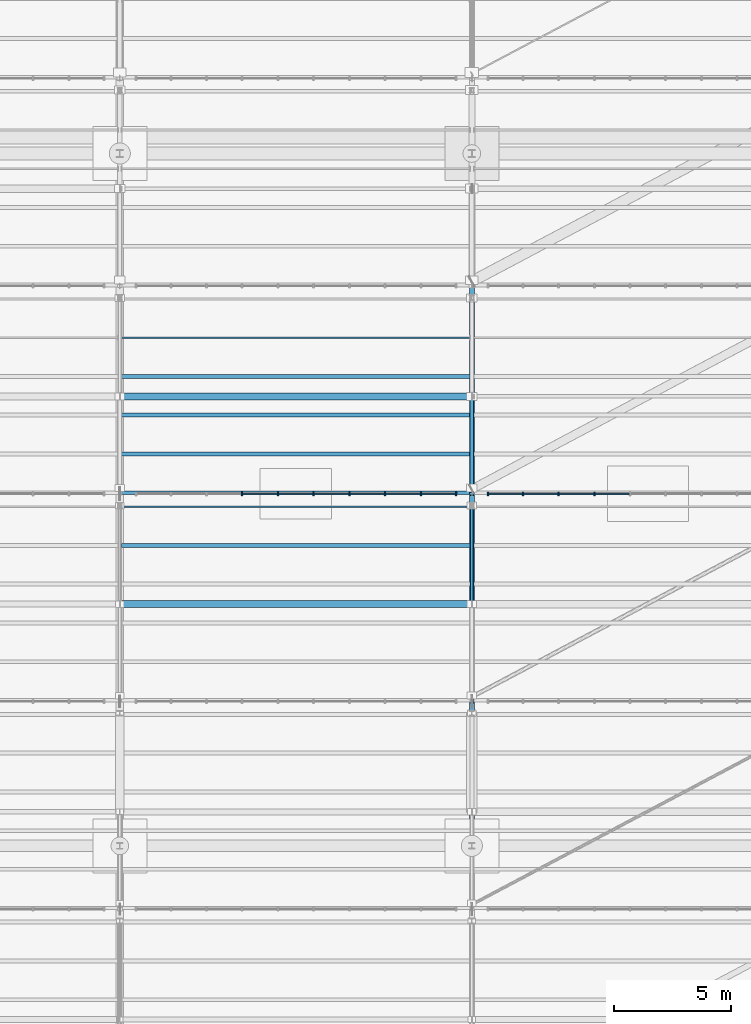
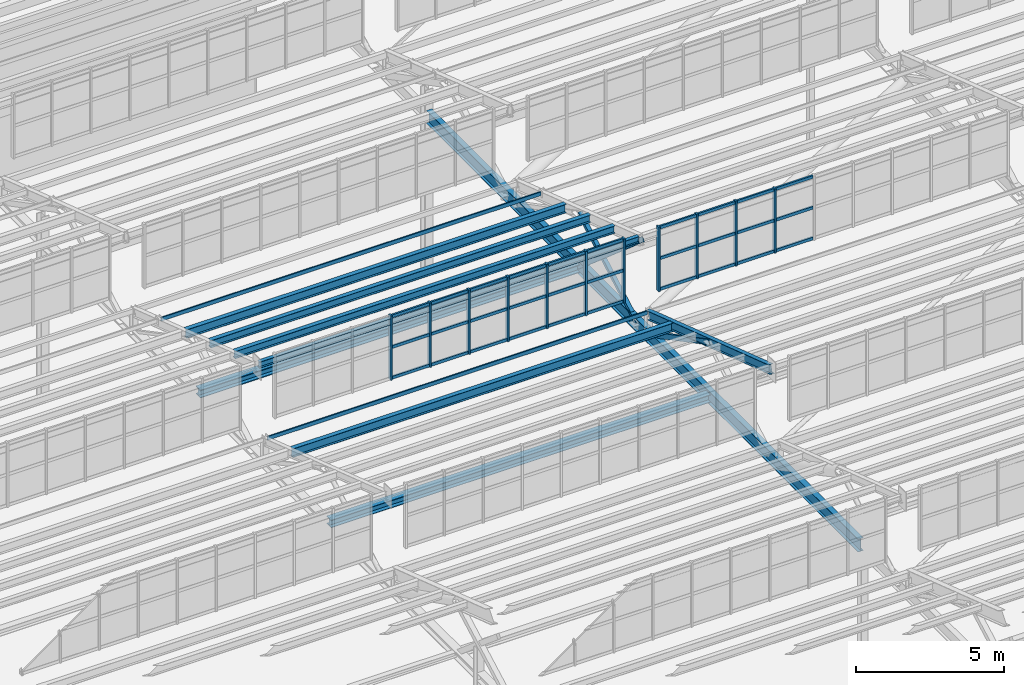
# One storey, part 95 of 285: 46 members, 9 beams, 2 elements without a shape of their own.
"""IFC4 building model written with IfcOpenShell, lengths in metres."""

from ifc_helpers import new_model, si_unit, direction, frame, origin, origin_2d, place, context, subcontext, project, spatial, rectangle, hollow_rectangle, i_section, extrude, material, material_profile, profile_set, type_object, element, aggregate, save


model = new_model("IFC4")

# Units and contexts
model_context = context("Model", 3, precision=1e-05, world=origin(), true_north=direction((0.0, 1.0)))
body_context = subcontext(model_context, "Body", "Model", "MODEL_VIEW")
ifc_project = project(units=[si_unit("LENGTHUNIT", "METRE"), si_unit("AREAUNIT", "SQUARE_METRE"), si_unit("VOLUMEUNIT", "CUBIC_METRE"), si_unit("PLANEANGLEUNIT", "RADIAN"), si_unit("MASSUNIT", "GRAM", prefix="KILO")], contexts=[model_context])

# Site, building, storey
site_placement = place(None, origin())
site = spatial("IfcSite", under=ifc_project, at=site_placement, CompositionType="ELEMENT")
building_placement = place(site_placement, origin())
building = spatial("IfcBuilding", under=site, at=building_placement, Name="Solanera Park Tramway Depot", CompositionType="ELEMENT")
storey_placement = place(building_placement, origin())
storey = spatial("IfcBuildingStorey", under=building, at=storey_placement, Name="L00", CompositionType="ELEMENT", Elevation=0.0)

# Curtain wall, members
ifc_material_1 = material(Name="Bronze-anodised thermally broken aluminium curtain wall", Category="aluminium")
curtain_wall_type = type_object("IfcCurtainWallType", Name="Sawtooth Clerestory Monitor Curtain Wall", PredefinedType="NOTDEFINED", material=ifc_material_1)
curtain_wall_1_placement = place(storey_placement, origin())
curtain_wall_1 = element("IfcCurtainWall", 1, at=curtain_wall_1_placement, inside=storey, type_object=curtain_wall_type, Name="L00 Sawtooth Clerestory Monitor Curtain Wall #040", PredefinedType="NOTDEFINED")
ifc_material_2 = material(Name="Bronze-anodised structural aluminium 6063-T6", Category="aluminium")
ifc_material_profile_1 = material_profile(ifc_material_2, rectangle(XDim=0.06494140625, YDim=0.14990234375, at=origin_2d()), Name="Curtain Wall Mullion 65x150")
ifc_profile_set_1 = profile_set([ifc_material_profile_1], Name="Bronze-anodised structural aluminium 6063-T6")
member_type_1 = type_object("IfcMemberType", Name="Curtain Wall Mullion 65x150", PredefinedType="MULLION", material=ifc_profile_set_1)
member_1_placement = place(storey_placement, frame((80.216796875, 100.0, 7.75), z_axis=(0.0, 0.0, 1.0), x_axis=(1.0, 0.0, 0.0)))
member_1 = element("IfcMember", 2, at=member_1_placement, type_object=member_type_1, Name="CW-L00-040 Mullion 4", PredefinedType="MULLION", context=body_context, shape_type="SweptSolid", body=[
    extrude(rectangle(XDim=0.06494140625, YDim=0.14990234375, at=origin_2d()), origin(), (0.0, 0.0, 1.0), 2.6611328125),
])
member_2_placement = place(storey_placement, frame((81.739013671875, 100.0, 7.75), z_axis=(0.0, 0.0, 1.0), x_axis=(1.0, 0.0, 0.0)))
member_2 = element("IfcMember", 3, at=member_2_placement, type_object=member_type_1, Name="CW-L00-040 Mullion 5", PredefinedType="MULLION", context=body_context, shape_type="SweptSolid", body=[
    extrude(rectangle(XDim=0.06494140625, YDim=0.14990234375, at=origin_2d()), origin(), (0.0, 0.0, 1.0), 2.6611328125),
])
member_3_placement = place(storey_placement, frame((83.260986328125, 100.0, 7.75), z_axis=(0.0, 0.0, 1.0), x_axis=(1.0, 0.0, 0.0)))
member_3 = element("IfcMember", 4, at=member_3_placement, type_object=member_type_1, Name="CW-L00-040 Mullion 6", PredefinedType="MULLION", context=body_context, shape_type="SweptSolid", body=[
    extrude(rectangle(XDim=0.06494140625, YDim=0.14990234375, at=origin_2d()), origin(), (0.0, 0.0, 1.0), 2.6611328125),
])
member_4_placement = place(storey_placement, frame((84.783203125, 100.0, 7.75), z_axis=(0.0, 0.0, 1.0), x_axis=(1.0, 0.0, 0.0)))
member_4 = element("IfcMember", 5, at=member_4_placement, type_object=member_type_1, Name="CW-L00-040 Mullion 7", PredefinedType="MULLION", context=body_context, shape_type="SweptSolid", body=[
    extrude(rectangle(XDim=0.06494140625, YDim=0.14990234375, at=origin_2d()), origin(), (0.0, 0.0, 1.0), 2.6611328125),
])
member_5_placement = place(storey_placement, frame((86.3056640625, 100.0, 7.75), z_axis=(0.0, 0.0, 1.0), x_axis=(1.0, 0.0, 0.0)))
member_5 = element("IfcMember", 6, at=member_5_placement, type_object=member_type_1, Name="CW-L00-040 Mullion 8", PredefinedType="MULLION", context=body_context, shape_type="SweptSolid", body=[
    extrude(rectangle(XDim=0.06494140625, YDim=0.14990234375, at=origin_2d()), origin(), (0.0, 0.0, 1.0), 2.6611328125),
])
member_6_placement = place(storey_placement, frame((87.827880859375, 100.0, 7.75), z_axis=(0.0, 0.0, 1.0), x_axis=(1.0, 0.0, 0.0)))
member_6 = element("IfcMember", 7, at=member_6_placement, type_object=member_type_1, Name="CW-L00-040 Mullion 9", PredefinedType="MULLION", context=body_context, shape_type="SweptSolid", body=[
    extrude(rectangle(XDim=0.06494140625, YDim=0.14990234375, at=origin_2d()), origin(), (0.0, 0.0, 1.0), 2.6611328125),
])
member_7_placement = place(storey_placement, frame((89.3173828125, 100.0, 7.75), z_axis=(0.0, 0.0, 1.0), x_axis=(1.0, 0.0, 0.0)))
member_7 = element("IfcMember", 8, at=member_7_placement, type_object=member_type_1, Name="CW-L00-040 Mullion 10", PredefinedType="MULLION", context=body_context, shape_type="SweptSolid", body=[
    extrude(rectangle(XDim=0.06494140625, YDim=0.14990234375, at=origin_2d()), origin(), (0.0, 0.0, 1.0), 2.6611328125),
])

curtain_wall_2_placement = place(storey_placement, origin())
curtain_wall_2 = element("IfcCurtainWall", 9, at=curtain_wall_2_placement, inside=storey, type_object=curtain_wall_type, Name="L00 Sawtooth Clerestory Monitor Curtain Wall #041", PredefinedType="NOTDEFINED")
member_8_placement = place(storey_placement, frame((90.6826171875, 100.0, 7.75), z_axis=(0.0, 0.0, 1.0), x_axis=(1.0, 0.0, 0.0)))
member_8 = element("IfcMember", 10, at=member_8_placement, type_object=member_type_1, Name="CW-L00-041 Mullion 1", PredefinedType="MULLION", context=body_context, shape_type="SweptSolid", body=[
    extrude(rectangle(XDim=0.06494140625, YDim=0.14990234375, at=origin_2d()), origin(), (0.0, 0.0, 1.0), 2.6611328125),
])
member_9_placement = place(storey_placement, frame((92.172119140625, 100.0, 7.75), z_axis=(0.0, 0.0, 1.0), x_axis=(1.0, 0.0, 0.0)))
member_9 = element("IfcMember", 11, at=member_9_placement, type_object=member_type_1, Name="CW-L00-041 Mullion 2", PredefinedType="MULLION", context=body_context, shape_type="SweptSolid", body=[
    extrude(rectangle(XDim=0.06494140625, YDim=0.14990234375, at=origin_2d()), origin(), (0.0, 0.0, 1.0), 2.6611328125),
])
member_10_placement = place(storey_placement, frame((93.6943359375, 100.0, 7.75), z_axis=(0.0, 0.0, 1.0), x_axis=(1.0, 0.0, 0.0)))
member_10 = element("IfcMember", 12, at=member_10_placement, type_object=member_type_1, Name="CW-L00-041 Mullion 3", PredefinedType="MULLION", context=body_context, shape_type="SweptSolid", body=[
    extrude(rectangle(XDim=0.06494140625, YDim=0.14990234375, at=origin_2d()), origin(), (0.0, 0.0, 1.0), 2.6611328125),
])
member_11_placement = place(storey_placement, frame((95.216796875, 100.0, 7.75), z_axis=(0.0, 0.0, 1.0), x_axis=(1.0, 0.0, 0.0)))
member_11 = element("IfcMember", 13, at=member_11_placement, type_object=member_type_1, Name="CW-L00-041 Mullion 4", PredefinedType="MULLION", context=body_context, shape_type="SweptSolid", body=[
    extrude(rectangle(XDim=0.06494140625, YDim=0.14990234375, at=origin_2d()), origin(), (0.0, 0.0, 1.0), 2.6611328125),
])

# Member
ifc_material_3 = material(Name="Bronze-anodised structural aluminium 6063-T6", Category="aluminium")
ifc_material_profile_2 = material_profile(ifc_material_3, rectangle(XDim=0.06494140625, YDim=0.1201171875, at=origin_2d()), Name="Curtain Wall Transom 65x120")
ifc_profile_set_2 = profile_set([ifc_material_profile_2], Name="Bronze-anodised structural aluminium 6063-T6")
member_type_2 = type_object("IfcMemberType", Name="Curtain Wall Transom 65x120", PredefinedType="USERDEFINED", material=ifc_profile_set_2)
member_12_placement = place(storey_placement, frame((80.24462890625, 100.0, 7.81005859375), z_axis=(1.0, 0.0, 0.0), x_axis=(0.0, 1.0, 0.0)))
member_12 = element("IfcMember", 14, at=member_12_placement, type_object=member_type_2, Name="CW-L00-040 Transom R1.C4", ObjectType="TRANSOM", PredefinedType="USERDEFINED", context=body_context, shape_type="SweptSolid", body=[
    extrude(rectangle(XDim=0.06494140625, YDim=0.1201171875, at=origin_2d()), origin(), (0.0, 0.0, 1.0), 1.46630859375),
])

member_13_placement = place(storey_placement, frame((81.766845703125, 100.0, 7.81005859375), z_axis=(1.0, 0.0, 0.0), x_axis=(0.0, 1.0, 0.0)))
member_13 = element("IfcMember", 15, at=member_13_placement, type_object=member_type_2, Name="CW-L00-040 Transom R1.C5", ObjectType="TRANSOM", PredefinedType="USERDEFINED", context=body_context, shape_type="SweptSolid", body=[
    extrude(rectangle(XDim=0.06494140625, YDim=0.1201171875, at=origin_2d()), origin(), (0.0, 0.0, 1.0), 1.46630859375),
])

member_14_placement = place(storey_placement, frame((83.2890625, 100.0, 7.81005859375), z_axis=(1.0, 0.0, 0.0), x_axis=(0.0, 1.0, 0.0)))
member_14 = element("IfcMember", 16, at=member_14_placement, type_object=member_type_2, Name="CW-L00-040 Transom R1.C6", ObjectType="TRANSOM", PredefinedType="USERDEFINED", context=body_context, shape_type="SweptSolid", body=[
    extrude(rectangle(XDim=0.06494140625, YDim=0.1201171875, at=origin_2d()), origin(), (0.0, 0.0, 1.0), 1.46630859375),
])

member_15_placement = place(storey_placement, frame((84.811279296875, 100.0, 7.81005859375), z_axis=(1.0, 0.0, 0.0), x_axis=(0.0, 1.0, 0.0)))
member_15 = element("IfcMember", 17, at=member_15_placement, type_object=member_type_2, Name="CW-L00-040 Transom R1.C7", ObjectType="TRANSOM", PredefinedType="USERDEFINED", context=body_context, shape_type="SweptSolid", body=[
    extrude(rectangle(XDim=0.06494140625, YDim=0.1201171875, at=origin_2d()), origin(), (0.0, 0.0, 1.0), 1.46630859375),
])

member_16_placement = place(storey_placement, frame((86.33349609375, 100.0, 7.81005859375), z_axis=(1.0, 0.0, 0.0), x_axis=(0.0, 1.0, 0.0)))
member_16 = element("IfcMember", 18, at=member_16_placement, type_object=member_type_2, Name="CW-L00-040 Transom R1.C8", ObjectType="TRANSOM", PredefinedType="USERDEFINED", context=body_context, shape_type="SweptSolid", body=[
    extrude(rectangle(XDim=0.06494140625, YDim=0.1201171875, at=origin_2d()), origin(), (0.0, 0.0, 1.0), 1.46630859375),
])

member_17_placement = place(storey_placement, frame((87.855712890625, 100.0, 7.81005859375), z_axis=(1.0, 0.0, 0.0), x_axis=(0.0, 1.0, 0.0)))
member_17 = element("IfcMember", 19, at=member_17_placement, type_object=member_type_2, Name="CW-L00-040 Transom R1.C9", ObjectType="TRANSOM", PredefinedType="USERDEFINED", context=body_context, shape_type="SweptSolid", body=[
    extrude(rectangle(XDim=0.06494140625, YDim=0.1201171875, at=origin_2d()), origin(), (0.0, 0.0, 1.0), 1.433837890625),
])

member_18_placement = place(storey_placement, frame((80.24462890625, 100.0, 9.08056640625), z_axis=(1.0, 0.0, 0.0), x_axis=(0.0, 1.0, 0.0)))
member_18 = element("IfcMember", 20, at=member_18_placement, type_object=member_type_2, Name="CW-L00-040 Transom R2.C4", ObjectType="TRANSOM", PredefinedType="USERDEFINED", context=body_context, shape_type="SweptSolid", body=[
    extrude(rectangle(XDim=0.06494140625, YDim=0.1201171875, at=origin_2d()), origin(), (0.0, 0.0, 1.0), 1.46630859375),
])

member_19_placement = place(storey_placement, frame((81.766845703125, 100.0, 9.08056640625), z_axis=(1.0, 0.0, 0.0), x_axis=(0.0, 1.0, 0.0)))
member_19 = element("IfcMember", 21, at=member_19_placement, type_object=member_type_2, Name="CW-L00-040 Transom R2.C5", ObjectType="TRANSOM", PredefinedType="USERDEFINED", context=body_context, shape_type="SweptSolid", body=[
    extrude(rectangle(XDim=0.06494140625, YDim=0.1201171875, at=origin_2d()), origin(), (0.0, 0.0, 1.0), 1.46630859375),
])

member_20_placement = place(storey_placement, frame((83.2890625, 100.0, 9.08056640625), z_axis=(1.0, 0.0, 0.0), x_axis=(0.0, 1.0, 0.0)))
member_20 = element("IfcMember", 22, at=member_20_placement, type_object=member_type_2, Name="CW-L00-040 Transom R2.C6", ObjectType="TRANSOM", PredefinedType="USERDEFINED", context=body_context, shape_type="SweptSolid", body=[
    extrude(rectangle(XDim=0.06494140625, YDim=0.1201171875, at=origin_2d()), origin(), (0.0, 0.0, 1.0), 1.46630859375),
])

member_21_placement = place(storey_placement, frame((84.811279296875, 100.0, 9.08056640625), z_axis=(1.0, 0.0, 0.0), x_axis=(0.0, 1.0, 0.0)))
member_21 = element("IfcMember", 23, at=member_21_placement, type_object=member_type_2, Name="CW-L00-040 Transom R2.C7", ObjectType="TRANSOM", PredefinedType="USERDEFINED", context=body_context, shape_type="SweptSolid", body=[
    extrude(rectangle(XDim=0.06494140625, YDim=0.1201171875, at=origin_2d()), origin(), (0.0, 0.0, 1.0), 1.46630859375),
])

member_22_placement = place(storey_placement, frame((86.33349609375, 100.0, 9.08056640625), z_axis=(1.0, 0.0, 0.0), x_axis=(0.0, 1.0, 0.0)))
member_22 = element("IfcMember", 24, at=member_22_placement, type_object=member_type_2, Name="CW-L00-040 Transom R2.C8", ObjectType="TRANSOM", PredefinedType="USERDEFINED", context=body_context, shape_type="SweptSolid", body=[
    extrude(rectangle(XDim=0.06494140625, YDim=0.1201171875, at=origin_2d()), origin(), (0.0, 0.0, 1.0), 1.46630859375),
])

member_23_placement = place(storey_placement, frame((87.855712890625, 100.0, 9.08056640625), z_axis=(1.0, 0.0, 0.0), x_axis=(0.0, 1.0, 0.0)))
member_23 = element("IfcMember", 25, at=member_23_placement, type_object=member_type_2, Name="CW-L00-040 Transom R2.C9", ObjectType="TRANSOM", PredefinedType="USERDEFINED", context=body_context, shape_type="SweptSolid", body=[
    extrude(rectangle(XDim=0.06494140625, YDim=0.1201171875, at=origin_2d()), origin(), (0.0, 0.0, 1.0), 1.433837890625),
])

member_24_placement = place(storey_placement, frame((80.24462890625, 100.0, 10.351318359375), z_axis=(1.0, 0.0, 0.0), x_axis=(0.0, 1.0, 0.0)))
member_24 = element("IfcMember", 26, at=member_24_placement, type_object=member_type_2, Name="CW-L00-040 Transom R3.C4", ObjectType="TRANSOM", PredefinedType="USERDEFINED", context=body_context, shape_type="SweptSolid", body=[
    extrude(rectangle(XDim=0.06494140625, YDim=0.1201171875, at=origin_2d()), origin(), (0.0, 0.0, 1.0), 1.46630859375),
])

member_25_placement = place(storey_placement, frame((81.766845703125, 100.0, 10.351318359375), z_axis=(1.0, 0.0, 0.0), x_axis=(0.0, 1.0, 0.0)))
member_25 = element("IfcMember", 27, at=member_25_placement, type_object=member_type_2, Name="CW-L00-040 Transom R3.C5", ObjectType="TRANSOM", PredefinedType="USERDEFINED", context=body_context, shape_type="SweptSolid", body=[
    extrude(rectangle(XDim=0.06494140625, YDim=0.1201171875, at=origin_2d()), origin(), (0.0, 0.0, 1.0), 1.46630859375),
])

member_26_placement = place(storey_placement, frame((83.2890625, 100.0, 10.351318359375), z_axis=(1.0, 0.0, 0.0), x_axis=(0.0, 1.0, 0.0)))
member_26 = element("IfcMember", 28, at=member_26_placement, type_object=member_type_2, Name="CW-L00-040 Transom R3.C6", ObjectType="TRANSOM", PredefinedType="USERDEFINED", context=body_context, shape_type="SweptSolid", body=[
    extrude(rectangle(XDim=0.06494140625, YDim=0.1201171875, at=origin_2d()), origin(), (0.0, 0.0, 1.0), 1.46630859375),
])

member_27_placement = place(storey_placement, frame((84.811279296875, 100.0, 10.351318359375), z_axis=(1.0, 0.0, 0.0), x_axis=(0.0, 1.0, 0.0)))
member_27 = element("IfcMember", 29, at=member_27_placement, type_object=member_type_2, Name="CW-L00-040 Transom R3.C7", ObjectType="TRANSOM", PredefinedType="USERDEFINED", context=body_context, shape_type="SweptSolid", body=[
    extrude(rectangle(XDim=0.06494140625, YDim=0.1201171875, at=origin_2d()), origin(), (0.0, 0.0, 1.0), 1.46630859375),
])

member_28_placement = place(storey_placement, frame((86.33349609375, 100.0, 10.351318359375), z_axis=(1.0, 0.0, 0.0), x_axis=(0.0, 1.0, 0.0)))
member_28 = element("IfcMember", 30, at=member_28_placement, type_object=member_type_2, Name="CW-L00-040 Transom R3.C8", ObjectType="TRANSOM", PredefinedType="USERDEFINED", context=body_context, shape_type="SweptSolid", body=[
    extrude(rectangle(XDim=0.06494140625, YDim=0.1201171875, at=origin_2d()), origin(), (0.0, 0.0, 1.0), 1.46630859375),
])

member_29_placement = place(storey_placement, frame((87.855712890625, 100.0, 10.351318359375), z_axis=(1.0, 0.0, 0.0), x_axis=(0.0, 1.0, 0.0)))
member_29 = element("IfcMember", 31, at=member_29_placement, type_object=member_type_2, Name="CW-L00-040 Transom R3.C9", ObjectType="TRANSOM", PredefinedType="USERDEFINED", context=body_context, shape_type="SweptSolid", body=[
    extrude(rectangle(XDim=0.06494140625, YDim=0.1201171875, at=origin_2d()), origin(), (0.0, 0.0, 1.0), 1.433837890625),
])

aggregate(curtain_wall_1, [member_1, member_2, member_3, member_4, member_5, member_6, member_7, member_12, member_13, member_14, member_15, member_16, member_17, member_18, member_19, member_20, member_21, member_22, member_23, member_24, member_25, member_26, member_27, member_28, member_29])

member_30_placement = place(storey_placement, frame((90.71044921875, 100.0, 7.81005859375), z_axis=(1.0, 0.0, 0.0), x_axis=(0.0, 1.0, 0.0)))
member_30 = element("IfcMember", 32, at=member_30_placement, type_object=member_type_2, Name="CW-L00-041 Transom R1.C1", ObjectType="TRANSOM", PredefinedType="USERDEFINED", context=body_context, shape_type="SweptSolid", body=[
    extrude(rectangle(XDim=0.06494140625, YDim=0.1201171875, at=origin_2d()), origin(), (0.0, 0.0, 1.0), 1.433837890625),
])

member_31_placement = place(storey_placement, frame((92.2001953125, 100.0, 7.81005859375), z_axis=(1.0, 0.0, 0.0), x_axis=(0.0, 1.0, 0.0)))
member_31 = element("IfcMember", 33, at=member_31_placement, type_object=member_type_2, Name="CW-L00-041 Transom R1.C2", ObjectType="TRANSOM", PredefinedType="USERDEFINED", context=body_context, shape_type="SweptSolid", body=[
    extrude(rectangle(XDim=0.06494140625, YDim=0.1201171875, at=origin_2d()), origin(), (0.0, 0.0, 1.0), 1.46630859375),
])

member_32_placement = place(storey_placement, frame((93.722412109375, 100.0, 7.81005859375), z_axis=(1.0, 0.0, 0.0), x_axis=(0.0, 1.0, 0.0)))
member_32 = element("IfcMember", 34, at=member_32_placement, type_object=member_type_2, Name="CW-L00-041 Transom R1.C3", ObjectType="TRANSOM", PredefinedType="USERDEFINED", context=body_context, shape_type="SweptSolid", body=[
    extrude(rectangle(XDim=0.06494140625, YDim=0.1201171875, at=origin_2d()), origin(), (0.0, 0.0, 1.0), 1.46630859375),
])

member_33_placement = place(storey_placement, frame((95.24462890625, 100.0, 7.81005859375), z_axis=(1.0, 0.0, 0.0), x_axis=(0.0, 1.0, 0.0)))
member_33 = element("IfcMember", 35, at=member_33_placement, type_object=member_type_2, Name="CW-L00-041 Transom R1.C4", ObjectType="TRANSOM", PredefinedType="USERDEFINED", context=body_context, shape_type="SweptSolid", body=[
    extrude(rectangle(XDim=0.06494140625, YDim=0.1201171875, at=origin_2d()), origin(), (0.0, 0.0, 1.0), 1.46630859375),
])

member_34_placement = place(storey_placement, frame((90.71044921875, 100.0, 9.08056640625), z_axis=(1.0, 0.0, 0.0), x_axis=(0.0, 1.0, 0.0)))
member_34 = element("IfcMember", 36, at=member_34_placement, type_object=member_type_2, Name="CW-L00-041 Transom R2.C1", ObjectType="TRANSOM", PredefinedType="USERDEFINED", context=body_context, shape_type="SweptSolid", body=[
    extrude(rectangle(XDim=0.06494140625, YDim=0.1201171875, at=origin_2d()), origin(), (0.0, 0.0, 1.0), 1.433837890625),
])

member_35_placement = place(storey_placement, frame((92.2001953125, 100.0, 9.08056640625), z_axis=(1.0, 0.0, 0.0), x_axis=(0.0, 1.0, 0.0)))
member_35 = element("IfcMember", 37, at=member_35_placement, type_object=member_type_2, Name="CW-L00-041 Transom R2.C2", ObjectType="TRANSOM", PredefinedType="USERDEFINED", context=body_context, shape_type="SweptSolid", body=[
    extrude(rectangle(XDim=0.06494140625, YDim=0.1201171875, at=origin_2d()), origin(), (0.0, 0.0, 1.0), 1.46630859375),
])

member_36_placement = place(storey_placement, frame((93.722412109375, 100.0, 9.08056640625), z_axis=(1.0, 0.0, 0.0), x_axis=(0.0, 1.0, 0.0)))
member_36 = element("IfcMember", 38, at=member_36_placement, type_object=member_type_2, Name="CW-L00-041 Transom R2.C3", ObjectType="TRANSOM", PredefinedType="USERDEFINED", context=body_context, shape_type="SweptSolid", body=[
    extrude(rectangle(XDim=0.06494140625, YDim=0.1201171875, at=origin_2d()), origin(), (0.0, 0.0, 1.0), 1.46630859375),
])

member_37_placement = place(storey_placement, frame((95.24462890625, 100.0, 9.08056640625), z_axis=(1.0, 0.0, 0.0), x_axis=(0.0, 1.0, 0.0)))
member_37 = element("IfcMember", 39, at=member_37_placement, type_object=member_type_2, Name="CW-L00-041 Transom R2.C4", ObjectType="TRANSOM", PredefinedType="USERDEFINED", context=body_context, shape_type="SweptSolid", body=[
    extrude(rectangle(XDim=0.06494140625, YDim=0.1201171875, at=origin_2d()), origin(), (0.0, 0.0, 1.0), 1.46630859375),
])

member_38_placement = place(storey_placement, frame((90.71044921875, 100.0, 10.351318359375), z_axis=(1.0, 0.0, 0.0), x_axis=(0.0, 1.0, 0.0)))
member_38 = element("IfcMember", 40, at=member_38_placement, type_object=member_type_2, Name="CW-L00-041 Transom R3.C1", ObjectType="TRANSOM", PredefinedType="USERDEFINED", context=body_context, shape_type="SweptSolid", body=[
    extrude(rectangle(XDim=0.06494140625, YDim=0.1201171875, at=origin_2d()), origin(), (0.0, 0.0, 1.0), 1.433837890625),
])

member_39_placement = place(storey_placement, frame((92.2001953125, 100.0, 10.351318359375), z_axis=(1.0, 0.0, 0.0), x_axis=(0.0, 1.0, 0.0)))
member_39 = element("IfcMember", 41, at=member_39_placement, type_object=member_type_2, Name="CW-L00-041 Transom R3.C2", ObjectType="TRANSOM", PredefinedType="USERDEFINED", context=body_context, shape_type="SweptSolid", body=[
    extrude(rectangle(XDim=0.06494140625, YDim=0.1201171875, at=origin_2d()), origin(), (0.0, 0.0, 1.0), 1.46630859375),
])

member_40_placement = place(storey_placement, frame((93.722412109375, 100.0, 10.351318359375), z_axis=(1.0, 0.0, 0.0), x_axis=(0.0, 1.0, 0.0)))
member_40 = element("IfcMember", 42, at=member_40_placement, type_object=member_type_2, Name="CW-L00-041 Transom R3.C3", ObjectType="TRANSOM", PredefinedType="USERDEFINED", context=body_context, shape_type="SweptSolid", body=[
    extrude(rectangle(XDim=0.06494140625, YDim=0.1201171875, at=origin_2d()), origin(), (0.0, 0.0, 1.0), 1.46630859375),
])

member_41_placement = place(storey_placement, frame((95.24462890625, 100.0, 10.351318359375), z_axis=(1.0, 0.0, 0.0), x_axis=(0.0, 1.0, 0.0)))
member_41 = element("IfcMember", 43, at=member_41_placement, type_object=member_type_2, Name="CW-L00-041 Transom R3.C4", ObjectType="TRANSOM", PredefinedType="USERDEFINED", context=body_context, shape_type="SweptSolid", body=[
    extrude(rectangle(XDim=0.06494140625, YDim=0.1201171875, at=origin_2d()), origin(), (0.0, 0.0, 1.0), 1.46630859375),
])

aggregate(curtain_wall_2, [member_8, member_9, member_10, member_11, member_30, member_31, member_32, member_33, member_34, member_35, member_36, member_37, member_38, member_39, member_40, member_41])

# Members
ifc_material_4 = material(Name="Steel AS/NZS 1163 Grade C350L0", Category="steel")
ifc_material_profile_3 = material_profile(ifc_material_4, hollow_rectangle(XDim=0.14990234375, YDim=0.14990234375, WallThickness=0.006103515625, at=origin_2d()), Name="150x150x6.0 SHS")
ifc_profile_set_3 = profile_set([ifc_material_profile_3], Name="Steel AS/NZS 1163 Grade C350L0")
member_type_3 = type_object("IfcMemberType", Name="Roof Gantry Compression Strut 150x150x6.0 SHS", PredefinedType="STRUT", material=ifc_profile_set_3)
member_42_placement = place(storey_placement, frame((90.0, 100.25, 6.5), z_axis=(0.0, 0.871630906744, 0.490162791742), x_axis=(-1.0, 0.0, 0.0)))
element("IfcMember", 44, at=member_42_placement, inside=storey, type_object=member_type_3, Name="Sawtooth ROOF TRUSS Strut 150x150x6.0 SHS #0246", PredefinedType="STRUT", context=body_context, shape_type="SweptSolid", body=[
    extrude(hollow_rectangle(XDim=0.14990234375, YDim=0.14990234375, WallThickness=0.006103515625, at=origin_2d()), origin(), (0.0, 0.0, 1.0), 4.474365234375),
])
ifc_material_5 = material(Name="Steel AS/NZS 3679.1 Grade 350", Category="steel")
ifc_material_profile_4 = material_profile(ifc_material_5, i_section(OverallWidth=0.306884765625, OverallDepth=0.314697265625, WebThickness=0.011962890625, FlangeThickness=0.018798828125, at=origin_2d()), Name="310UC118")
ifc_profile_set_4 = profile_set([ifc_material_profile_4], Name="Steel AS/NZS 3679.1 Grade 350")
member_type_4 = type_object("IfcMemberType", Name="Secondary Truss Chord 310UC118", PredefinedType="CHORD", material=ifc_profile_set_4)
member_43_placement = place(storey_placement, frame((75.087890625, 95.300048828125, 6.5), z_axis=(1.0, 0.0, 0.0), x_axis=(0.0, 1.0, 0.0)))
element("IfcMember", 45, at=member_43_placement, inside=storey, type_object=member_type_4, Name="Sawtooth Longitudinal Tie Chord 310UC118 #0219", PredefinedType="CHORD", context=body_context, shape_type="SweptSolid", body=[
    extrude(i_section(OverallWidth=0.306884765625, OverallDepth=0.314697265625, WebThickness=0.011962890625, FlangeThickness=0.018798828125, at=origin_2d()), origin(), (0.0, 0.0, 1.0), 14.82421875),
])
ifc_material_6 = material(Name="Steel AS/NZS 3679.1 Grade 350", Category="steel")
ifc_material_profile_5 = material_profile(ifc_material_6, i_section(OverallWidth=0.310546875, OverallDepth=0.3271484375, WebThickness=0.015625, FlangeThickness=0.02490234375, at=origin_2d()), Name="310UC158")
ifc_profile_set_5 = profile_set([ifc_material_profile_5], Name="Steel AS/NZS 3679.1 Grade 350")
member_type_5 = type_object("IfcMemberType", Name="Secondary Truss Chord 310UC158", PredefinedType="CHORD", material=ifc_profile_set_5)
member_44_placement = place(storey_placement, frame((75.087890625, 104.14990234375, 6.5), z_axis=(1.0, 0.0, 0.0), x_axis=(0.0, 1.0, 0.0)))
element("IfcMember", 46, at=member_44_placement, inside=storey, type_object=member_type_5, Name="Sawtooth Longitudinal Tie Chord 310UC158 #0266", PredefinedType="CHORD", context=body_context, shape_type="SweptSolid", body=[
    extrude(i_section(OverallWidth=0.310546875, OverallDepth=0.3271484375, WebThickness=0.015625, FlangeThickness=0.02490234375, at=origin_2d()), origin(), (0.0, 0.0, 1.0), 14.82421875),
])

# Beams
ifc_material_7 = material(Name="Steel AS/NZS 3679.1 Grade 350", Category="steel")
ifc_material_profile_6 = material_profile(ifc_material_7, i_section(OverallWidth=0.17138671875, OverallDepth=0.355712890625, WebThickness=0.00732421875, FlangeThickness=0.011474609375, at=origin_2d()), Name="360UB50.7")
ifc_profile_set_6 = profile_set([ifc_material_profile_6], Name="Steel AS/NZS 3679.1 Grade 350")
beam_type_1 = type_object("IfcBeamType", Name="Steel Beam 360UB50.7", PredefinedType="BEAM", material=ifc_profile_set_6)
beam_1_placement = place(storey_placement, frame((90.0, 91.14990234375, 10.10693359375), z_axis=(0.0, 0.948322229475, -0.317308917435), x_axis=(-1.0, 0.0, 0.0)))
element("IfcBeam", 47, at=beam_1_placement, inside=storey, type_object=beam_type_1, Name="Sawtooth ROOF TRUSS Top Rafter 360UB50.7 B05-T7", PredefinedType="BEAM", context=body_context, shape_type="SweptSolid", body=[
    extrude(i_section(OverallWidth=0.17138671875, OverallDepth=0.355712890625, WebThickness=0.00732421875, FlangeThickness=0.011474609375, at=origin_2d()), origin(), (0.0, 0.0, 1.0), 8.80517578125),
])
ifc_material_8 = material(Name="Steel AS/NZS 3679.1 Grade 350", Category="steel")
ifc_material_profile_7 = material_profile(ifc_material_8, i_section(OverallWidth=0.209228515625, OverallDepth=0.532958984375, WebThickness=0.01025390625, FlangeThickness=0.015625, at=origin_2d()), Name="530UB92.4")
ifc_profile_set_7 = profile_set([ifc_material_profile_7], Name="Steel AS/NZS 3679.1 Grade 350")
beam_type_2 = type_object("IfcBeamType", Name="Steel Beam 530UB92.4", PredefinedType="BEAM", material=ifc_profile_set_7)
beam_2_placement = place(storey_placement, frame((90.0, 85.127685546875, 6.5), z_axis=(0.0, 1.0, 0.0), x_axis=(-1.0, 0.0, 0.0)))
element("IfcBeam", 48, at=beam_2_placement, inside=storey, type_object=beam_type_2, Name="Sawtooth ROOF TRUSS Bottom Chord 530UB92.4 #0386", PredefinedType="BEAM", context=body_context, shape_type="SweptSolid", body=[
    extrude(i_section(OverallWidth=0.209228515625, OverallDepth=0.532958984375, WebThickness=0.01025390625, FlangeThickness=0.015625, at=origin_2d()), origin(), (0.0, 0.0, 1.0), 29.217041015625),
])
ifc_material_9 = material(Name="Steel AS/NZS 1163 Grade C350L0", Category="steel")
ifc_material_profile_8 = material_profile(ifc_material_9, hollow_rectangle(XDim=0.050048828125, YDim=0.14990234375, WallThickness=0.0048828125, at=origin_2d()), Name="150x50x5.0 RHS")
ifc_profile_set_8 = profile_set([ifc_material_profile_8], Name="Steel AS/NZS 1163 Grade C350L0")
beam_type_3 = type_object("IfcBeamType", Name="Steel Joist Purlin 150x50x5.0 RHS", PredefinedType="JOIST", material=ifc_profile_set_8)
beam_3_placement = place(storey_placement, frame((75.074951171875, 99.449951171875, 7.4462890625), z_axis=(1.0, 0.0, 0.0), x_axis=(0.0, 1.0, 0.0)))
element("IfcBeam", 49, at=beam_3_placement, inside=storey, type_object=beam_type_3, Name="Sawtooth Roof Purlin 150x50x5.0 RHS B05.6", PredefinedType="JOIST", context=body_context, shape_type="SweptSolid", body=[
    extrude(hollow_rectangle(XDim=0.050048828125, YDim=0.14990234375, WallThickness=0.0048828125, at=origin_2d()), origin(), (0.0, 0.0, 1.0), 14.84716796875),
])
beam_4_placement = place(storey_placement, frame((75.077880859375, 106.64990234375, 7.998291015625), z_axis=(1.0, 0.0, 0.0), x_axis=(0.0, 1.0, 0.0)))
element("IfcBeam", 50, at=beam_4_placement, inside=storey, type_object=beam_type_3, Name="Sawtooth Roof Purlin 150x50x5.0 RHS B06.5", PredefinedType="JOIST", context=body_context, shape_type="SweptSolid", body=[
    extrude(hollow_rectangle(XDim=0.050048828125, YDim=0.14990234375, WallThickness=0.0048828125, at=origin_2d()), origin(), (0.0, 0.0, 1.0), 14.84130859375),
])
ifc_material_10 = material(Name="Steel AS/NZS 3679.1 Grade 350", Category="steel")
ifc_material_profile_9 = material_profile(ifc_material_10, i_section(OverallWidth=0.146484375, OverallDepth=0.256103515625, WebThickness=0.00634765625, FlangeThickness=0.010986328125, at=origin_2d()), Name="250UB37.3")
ifc_profile_set_9 = profile_set([ifc_material_profile_9], Name="Steel AS/NZS 3679.1 Grade 350")
beam_type_4 = type_object("IfcBeamType", Name="Steel Joist Purlin 250UB37.3", PredefinedType="JOIST", material=ifc_profile_set_9)
beam_5_placement = place(storey_placement, frame((75.077880859375, 100.050048828125, 10.137451171875), z_axis=(1.0, 0.0, 0.0), x_axis=(0.0, 1.0, 0.0)))
element("IfcBeam", 51, at=beam_5_placement, inside=storey, type_object=beam_type_4, Name="Sawtooth Roof Purlin 250UB37.3 B06.1", PredefinedType="JOIST", context=body_context, shape_type="SweptSolid", body=[
    extrude(i_section(OverallWidth=0.146484375, OverallDepth=0.256103515625, WebThickness=0.00634765625, FlangeThickness=0.010986328125, at=origin_2d()), origin(), (0.0, 0.0, 1.0), 14.84130859375),
])
ifc_material_11 = material(Name="Steel AS/NZS 3679.1 Grade 350", Category="steel")
ifc_material_profile_10 = material_profile(ifc_material_11, i_section(OverallWidth=0.1650390625, OverallDepth=0.3037109375, WebThickness=0.006103515625, FlangeThickness=0.01025390625, at=origin_2d()), Name="310UB40.4")
ifc_profile_set_10 = profile_set([ifc_material_profile_10], Name="Steel AS/NZS 3679.1 Grade 350")
beam_type_5 = type_object("IfcBeamType", Name="Steel Joist Purlin 310UB40.4", PredefinedType="JOIST", material=ifc_profile_set_10)
beam_6_placement = place(storey_placement, frame((75.077880859375, 101.699951171875, 9.55859375), z_axis=(1.0, 0.0, 0.0), x_axis=(0.0, 1.0, 0.0)))
element("IfcBeam", 52, at=beam_6_placement, inside=storey, type_object=beam_type_5, Name="Sawtooth Roof Purlin 310UB40.4 B06.2", PredefinedType="JOIST", context=body_context, shape_type="SweptSolid", body=[
    extrude(i_section(OverallWidth=0.1650390625, OverallDepth=0.3037109375, WebThickness=0.006103515625, FlangeThickness=0.01025390625, at=origin_2d()), origin(), (0.0, 0.0, 1.0), 14.84130859375),
])
ifc_material_12 = material(Name="Steel AS/NZS 3679.1 Grade 350", Category="steel")
ifc_material_profile_11 = material_profile(ifc_material_12, i_section(OverallWidth=0.166015625, OverallDepth=0.30712890625, WebThickness=0.006591796875, FlangeThickness=0.01171875, at=origin_2d()), Name="310UB46.2")
ifc_profile_set_11 = profile_set([ifc_material_profile_11], Name="Steel AS/NZS 3679.1 Grade 350")
beam_type_6 = type_object("IfcBeamType", Name="Steel Joist Purlin 310UB46.2", PredefinedType="JOIST", material=ifc_profile_set_11)
beam_7_placement = place(storey_placement, frame((75.077880859375, 103.35009765625, 9.004638671875), z_axis=(1.0, 0.0, 0.0), x_axis=(0.0, 1.0, 0.0)))
element("IfcBeam", 53, at=beam_7_placement, inside=storey, type_object=beam_type_6, Name="Sawtooth Roof Purlin 310UB46.2 B06.3", PredefinedType="JOIST", context=body_context, shape_type="SweptSolid", body=[
    extrude(i_section(OverallWidth=0.166015625, OverallDepth=0.30712890625, WebThickness=0.006591796875, FlangeThickness=0.01171875, at=origin_2d()), origin(), (0.0, 0.0, 1.0), 14.84130859375),
])
ifc_material_13 = material(Name="Steel AS/NZS 3679.1 Grade 350", Category="steel")
ifc_material_profile_12 = material_profile(ifc_material_13, i_section(OverallWidth=0.17138671875, OverallDepth=0.355712890625, WebThickness=0.00732421875, FlangeThickness=0.011474609375, at=origin_2d()), Name="360UB50.7")
ifc_profile_set_12 = profile_set([ifc_material_profile_12], Name="Steel AS/NZS 3679.1 Grade 350")
beam_type_7 = type_object("IfcBeamType", Name="Steel Joist Purlin 360UB50.7", PredefinedType="JOIST", material=ifc_profile_set_12)
beam_8_placement = place(storey_placement, frame((75.074951171875, 97.800048828125, 7.875244140625), z_axis=(1.0, 0.0, 0.0), x_axis=(0.0, 1.0, 0.0)))
element("IfcBeam", 54, at=beam_8_placement, inside=storey, type_object=beam_type_7, Name="Sawtooth Roof Purlin 360UB50.7 B05.5", PredefinedType="JOIST", context=body_context, shape_type="SweptSolid", body=[
    extrude(i_section(OverallWidth=0.17138671875, OverallDepth=0.355712890625, WebThickness=0.00732421875, FlangeThickness=0.011474609375, at=origin_2d()), origin(), (0.0, 0.0, 1.0), 14.84716796875),
])
beam_9_placement = place(storey_placement, frame((75.077880859375, 105.0, 8.42724609375), z_axis=(1.0, 0.0, 0.0), x_axis=(0.0, 1.0, 0.0)))
element("IfcBeam", 55, at=beam_9_placement, inside=storey, type_object=beam_type_7, Name="Sawtooth Roof Purlin 360UB50.7 B06.4", PredefinedType="JOIST", context=body_context, shape_type="SweptSolid", body=[
    extrude(i_section(OverallWidth=0.17138671875, OverallDepth=0.355712890625, WebThickness=0.00732421875, FlangeThickness=0.011474609375, at=origin_2d()), origin(), (0.0, 0.0, 1.0), 14.84130859375),
])

# Members
ifc_material_14 = material(Name="Steel AS/NZS 1163 Grade C350L0", Category="steel")
ifc_material_profile_13 = material_profile(ifc_material_14, hollow_rectangle(XDim=0.10009765625, YDim=0.199951171875, WallThickness=0.006103515625, at=origin_2d()), Name="200x100x6.0 RHS")
ifc_profile_set_13 = profile_set([ifc_material_profile_13], Name="Steel AS/NZS 1163 Grade C350L0")
member_type_6 = type_object("IfcMemberType", Name="Truss and Frame Brace 200x100x6.0 RHS", PredefinedType="BRACE", material=ifc_profile_set_13)
member_45_placement = place(storey_placement, frame((90.0, 99.5, 6.5), z_axis=(0.0, -0.884222622593, 0.467065684561), x_axis=(1.0, 0.0, 0.0)))
element("IfcMember", 56, at=member_45_placement, inside=storey, type_object=member_type_6, Name="Sawtooth ROOF TRUSS Diagonal 200x100x6.0 RHS #0198", PredefinedType="BRACE", context=body_context, shape_type="SweptSolid", body=[
    extrude(hollow_rectangle(XDim=0.10009765625, YDim=0.199951171875, WallThickness=0.006103515625, at=origin_2d()), origin(), (0.0, 0.0, 1.0), 4.75),
])
ifc_material_15 = material(Name="Steel AS/NZS 1163 Grade C350L0", Category="steel")
ifc_material_profile_14 = material_profile(ifc_material_15, hollow_rectangle(XDim=0.199951171875, YDim=0.199951171875, WallThickness=0.008056640625, at=origin_2d()), Name="200x200x8.0 SHS")
ifc_profile_set_14 = profile_set([ifc_material_profile_14], Name="Steel AS/NZS 1163 Grade C350L0")
member_type_7 = type_object("IfcMemberType", Name="Truss and Frame Brace 200x200x8.0 SHS", PredefinedType="BRACE", material=ifc_profile_set_14)
member_46_placement = place(storey_placement, frame((90.0, 104.14990234375, 6.5), z_axis=(0.0, -0.757045281618, 0.653362412127), x_axis=(1.0, 0.0, 0.0)))
element("IfcMember", 57, at=member_46_placement, inside=storey, type_object=member_type_7, Name="Sawtooth ROOF TRUSS Web Brace 200x200x8.0 SHS #0244", PredefinedType="BRACE", context=body_context, shape_type="SweptSolid", body=[
    extrude(hollow_rectangle(XDim=0.199951171875, YDim=0.199951171875, WallThickness=0.008056640625, at=origin_2d()), origin(), (0.0, 0.0, 1.0), 5.481689453125),
])

save(model, "model.ifc")
